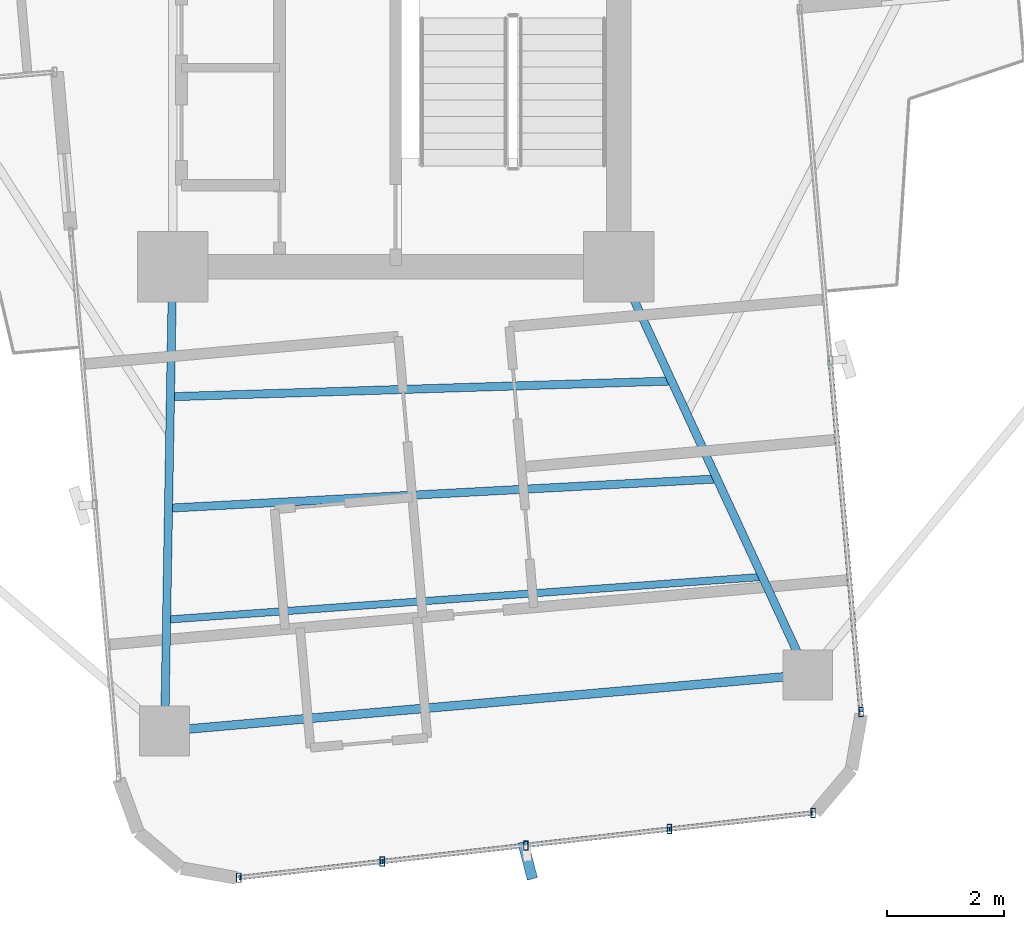
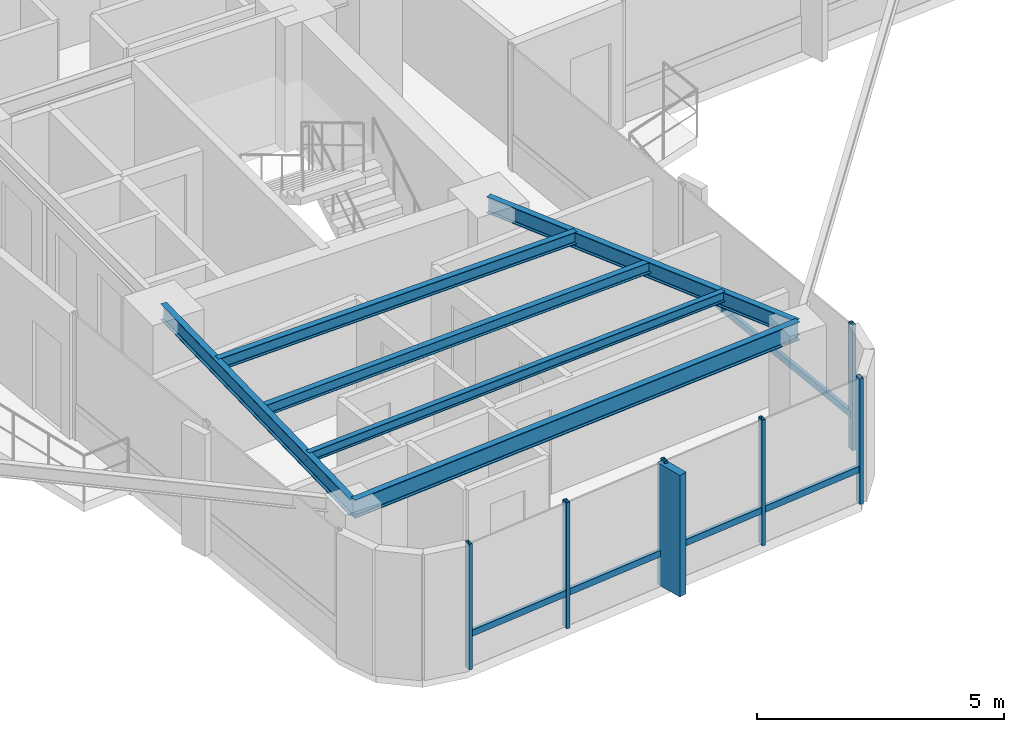
# One storey, part 6 of 24: 12 members, 6 beams, 2 elements without a shape of their own.
"""IFC4 building model written with IfcOpenShell, lengths in metres."""

from ifc_helpers import new_model, si_unit, direction, frame, origin, origin_2d, place, context, subcontext, project, spatial, rectangle, hollow_rectangle, i_section, extrude, source, transform, mapped, material, material_profile, profile_set, type_object, element, aggregate, save


model = new_model("IFC4")

# Units and contexts
model_context = context("Model", 3, precision=1e-05, world=origin(), true_north=direction((0.0, 1.0)))
body_context = subcontext(model_context, "Body", "Model", "MODEL_VIEW")
ifc_project = project(units=[si_unit("LENGTHUNIT", "METRE"), si_unit("AREAUNIT", "SQUARE_METRE"), si_unit("VOLUMEUNIT", "CUBIC_METRE"), si_unit("PLANEANGLEUNIT", "RADIAN"), si_unit("MASSUNIT", "GRAM", prefix="KILO")], contexts=[model_context])

# Site, building, storey
site_placement = place(None, origin())
site = spatial("IfcSite", under=ifc_project, at=site_placement, CompositionType="ELEMENT")
building_placement = place(site_placement, origin())
building = spatial("IfcBuilding", under=site, at=building_placement, Name="Sahyath Konkavel Grand Hotel", CompositionType="ELEMENT")
storey_placement = place(building_placement, frame((0.0, 0.0, 164.0)))
storey = spatial("IfcBuildingStorey", under=building, at=storey_placement, Name="L45", CompositionType="ELEMENT", Elevation=164.0)

# Beams
ifc_material_1 = material(Name="Steel E350", Category="steel")
ifc_material_profile_1 = material_profile(ifc_material_1, i_section(OverallWidth=0.139892578125, OverallDepth=0.39990234375, WebThickness=0.0087890625, FlangeThickness=0.01611328125, FilletRadius=0.013916015625, at=origin_2d()), Name="ISMB 400")
ifc_profile_set_1 = profile_set([ifc_material_profile_1], Name="Steel E350")
beam_type_1 = type_object("IfcBeamType", Name="BM-ISMB400", PredefinedType="BEAM", material=ifc_profile_set_1)
shared_shape_1 = source(origin(), body_context, "Body", "SweptSolid", [
    extrude(i_section(OverallWidth=0.139892578125, OverallDepth=0.39990234375, WebThickness=0.0087890625, FlangeThickness=0.01611328125, FilletRadius=0.013916015625, at=origin_2d()), origin(), (0.0, 0.0, 1.0), 7.913330078125),
])
beam_1_placement = place(storey_placement, frame((-3.800048828125, -10.199951171875, 2.909912109375), z_axis=(-0.017215419232, -0.999851803689, 0.0), x_axis=(0.999851803689, -0.017215419232, 0.0)))
element("IfcBeam", 1, at=beam_1_placement, inside=storey, type_object=beam_type_1, Name="L45 Cruciform Radial Girder SA", PredefinedType="BEAM", context=body_context, shape_type="MappedRepresentation", body=[
    mapped(shared_shape_1, transform((0.0, 0.0, 0.0), scale=1.0)),
])
shared_shape_2 = source(origin(), body_context, "Body", "SweptSolid", [
    extrude(i_section(OverallWidth=0.139892578125, OverallDepth=0.39990234375, WebThickness=0.0087890625, FlangeThickness=0.01611328125, FilletRadius=0.013916015625, at=origin_2d()), origin(), (0.0, 0.0, 1.0), 7.66357421875),
])
beam_2_placement = place(storey_placement, frame((3.800048828125, -10.199951171875, 2.909912109375), z_axis=(0.420395127561, -0.907341135804, 0.0), x_axis=(0.907341135804, 0.420395127561, 0.0)))
element("IfcBeam", 2, at=beam_2_placement, inside=storey, type_object=beam_type_1, Name="L45 Cruciform Radial Girder SB", PredefinedType="BEAM", context=body_context, shape_type="MappedRepresentation", body=[
    mapped(shared_shape_2, transform((0.0, 0.0, 0.0), scale=1.0)),
])
ifc_material_profile_2 = material_profile(ifc_material_1, i_section(OverallWidth=0.14990234375, OverallDepth=0.449951171875, WebThickness=0.009521484375, FlangeThickness=0.017333984375, FilletRadius=0.014892578125, at=origin_2d()), Name="ISMB 450")
ifc_profile_set_2 = profile_set([ifc_material_profile_2], Name="Steel E350")
beam_type_2 = type_object("IfcBeamType", Name="BM-ISMB450", PredefinedType="BEAM", material=ifc_profile_set_2)
shared_shape_3 = source(origin(), body_context, "Body", "SweptSolid", [
    extrude(i_section(OverallWidth=0.14990234375, OverallDepth=0.449951171875, WebThickness=0.009521484375, FlangeThickness=0.017333984375, FilletRadius=0.014892578125, at=origin_2d()), origin(), (0.0, 0.0, 1.0), 10.999755859375),
])
beam_3_placement = place(storey_placement, frame((-3.936279296875, -18.112060546875, 2.885009765625), z_axis=(0.99619439202, 0.087159241098, 0.0), x_axis=(-0.087159241098, 0.99619439202, 0.0)))
element("IfcBeam", 3, at=beam_3_placement, inside=storey, type_object=beam_type_2, Name="L45 Wing Tip Edge Beam S", PredefinedType="BEAM", context=body_context, shape_type="MappedRepresentation", body=[
    mapped(shared_shape_3, transform((0.0, 0.0, 0.0), scale=1.0)),
])
ifc_material_profile_3 = material_profile(ifc_material_1, i_section(OverallWidth=0.139892578125, OverallDepth=0.300048828125, WebThickness=0.0078125, FlangeThickness=0.01318359375, FilletRadius=0.013916015625, at=origin_2d()), Name="ISMB 300")
ifc_profile_set_3 = profile_set([ifc_material_profile_3], Name="Steel E350")
beam_type_3 = type_object("IfcBeamType", Name="BM-ISMB300", PredefinedType="BEAM", material=ifc_profile_set_3)
shared_shape_4 = source(origin(), body_context, "Body", "SweptSolid", [
    extrude(i_section(OverallWidth=0.139892578125, OverallDepth=0.300048828125, WebThickness=0.0078125, FlangeThickness=0.01318359375, FilletRadius=0.013916015625, at=origin_2d()), origin(), (0.0, 0.0, 1.0), 8.54443359375),
])
beam_4_placement = place(storey_placement, frame((-3.838134765625, -12.415283203125, 2.9599609375), z_axis=(0.999506849365, 0.031401561632, 0.0), x_axis=(-0.031401561632, 0.999506849365, 0.0)))
element("IfcBeam", 4, at=beam_4_placement, inside=storey, type_object=beam_type_3, Name="L45 Secondary Floor Beam S-1", PredefinedType="BEAM", context=body_context, shape_type="MappedRepresentation", body=[
    mapped(shared_shape_4, transform((0.0, 0.0, 0.0), scale=1.0)),
])
ifc_material_profile_4 = material_profile(ifc_material_1, i_section(OverallWidth=0.139892578125, OverallDepth=0.27490234375, WebThickness=0.00634765625, FlangeThickness=0.0087890625, FilletRadius=0.012939453125, at=origin_2d()), Name="ISLB 275")
ifc_profile_set_4 = profile_set([ifc_material_profile_4], Name="Steel E350")
beam_type_4 = type_object("IfcBeamType", Name="BM-ISLB275", PredefinedType="BEAM", material=ifc_profile_set_4)
shared_shape_5 = source(origin(), body_context, "Body", "SweptSolid", [
    extrude(i_section(OverallWidth=0.139892578125, OverallDepth=0.27490234375, WebThickness=0.00634765625, FlangeThickness=0.0087890625, FilletRadius=0.012939453125, at=origin_2d()), origin(), (0.0, 0.0, 1.0), 9.359375),
])
beam_5_placement = place(storey_placement, frame((-3.870849609375, -14.314208984375, 2.972412109375), z_axis=(0.998580397723, 0.053265272769, 0.0), x_axis=(-0.053265272769, 0.998580397723, 0.0)))
element("IfcBeam", 5, at=beam_5_placement, inside=storey, type_object=beam_type_4, Name="L45 Secondary Floor Beam S-2", PredefinedType="BEAM", context=body_context, shape_type="MappedRepresentation", body=[
    mapped(shared_shape_5, transform((0.0, 0.0, 0.0), scale=1.0)),
])
ifc_material_profile_5 = material_profile(ifc_material_1, i_section(OverallWidth=0.125, OverallDepth=0.25, WebThickness=0.0068359375, FlangeThickness=0.012451171875, FilletRadius=0.012939453125, at=origin_2d()), Name="ISMB 250")
ifc_profile_set_5 = profile_set([ifc_material_profile_5], Name="Steel E350")
beam_type_5 = type_object("IfcBeamType", Name="BM-ISMB250", PredefinedType="BEAM", material=ifc_profile_set_5)
shared_shape_6 = source(origin(), body_context, "Body", "SweptSolid", [
    extrude(i_section(OverallWidth=0.125, OverallDepth=0.25, WebThickness=0.0068359375, FlangeThickness=0.012451171875, FilletRadius=0.012939453125, at=origin_2d()), origin(), (0.0, 0.0, 1.0), 10.178466796875),
])
beam_6_placement = place(storey_placement, frame((-3.90380859375, -16.213134765625, 2.985107421875), z_axis=(0.997435268886, 0.071574327683, 0.0), x_axis=(-0.071574327683, 0.997435268886, 0.0)))
element("IfcBeam", 6, at=beam_6_placement, inside=storey, type_object=beam_type_5, Name="L45 Secondary Floor Beam S-3", PredefinedType="BEAM", context=body_context, shape_type="MappedRepresentation", body=[
    mapped(shared_shape_6, transform((0.0, 0.0, 0.0), scale=1.0)),
])

# Curtain wall, members
ifc_material_2 = material(Name="Anodised Bronze Aluminium & Low-E Glazing", Category="aluminium")
curtain_wall_type = type_object("IfcCurtainWallType", Name="CW-ZONE3", PredefinedType="NOTDEFINED", material=ifc_material_2)
curtain_wall_1_placement = place(storey_placement, origin())
curtain_wall_1 = element("IfcCurtainWall", 7, at=curtain_wall_1_placement, inside=storey, type_object=curtain_wall_type, Name="L45 Unitised Curtain Wall F28", PredefinedType="NOTDEFINED")
ifc_material_3 = material(Name="Warm Buff Sandstone Cladding on Concrete C50/60", Category="masonry")
ifc_material_profile_6 = material_profile(ifc_material_3, rectangle(XDim=0.179931640625, YDim=0.64990234375, at=origin_2d()), Name="FIN 180x650")
ifc_profile_set_6 = profile_set([ifc_material_profile_6], Name="Warm Buff Sandstone Cladding on Concrete C50/60")
member_type_1 = type_object("IfcMemberType", Name="FIN-SANDSTONE-650", PredefinedType="MULLION", material=ifc_profile_set_6)
shared_shape_7 = source(origin(), body_context, "Body", "SweptSolid", [
    extrude(rectangle(XDim=0.179931640625, YDim=0.64990234375, at=origin_2d()), origin(), (0.0, 0.0, 1.0), 3.010009765625),
])
member_1_placement = place(storey_placement, frame((2.248291015625, -20.3173828125, 0.050048828125), z_axis=(0.0, 0.0, 1.0), x_axis=(0.967884912253, 0.251393708421, 0.0)))
member_1 = element("IfcMember", 8, at=member_1_placement, type_object=member_type_1, Name="L45 Sandstone Vertical Solar Fin FIN F28-2", PredefinedType="MULLION", context=body_context, shape_type="MappedRepresentation", body=[
    mapped(shared_shape_7, transform((0.0, 0.0, 0.0), scale=1.0)),
])
ifc_material_4 = material(Name="Anodised Bronze Aluminium", Category="aluminium")
ifc_material_profile_7 = material_profile(ifc_material_4, hollow_rectangle(XDim=0.080078125, YDim=0.159912109375, WallThickness=0.006103515625, at=origin_2d()), Name="RHS 160x80x6")
ifc_profile_set_7 = profile_set([ifc_material_profile_7], Name="Anodised Bronze Aluminium")
member_type_2 = type_object("IfcMemberType", Name="CW-MUL-160", PredefinedType="MULLION", material=ifc_profile_set_7)
shared_shape_8 = source(origin(), body_context, "Body", "SweptSolid", [
    extrude(hollow_rectangle(XDim=0.080078125, YDim=0.159912109375, WallThickness=0.006103515625, at=origin_2d()), origin(), (0.0, 0.0, 1.0), 3.110107421875),
])
member_2_placement = place(storey_placement, frame((-2.673828125, -20.610595703125, 0.0), z_axis=(0.0, 0.0, 1.0), x_axis=(1.0, 0.0, 0.0)))
member_2 = element("IfcMember", 9, at=member_2_placement, type_object=member_type_2, Name="L45 Curtain Wall Mullion F28-0", PredefinedType="MULLION", context=body_context, shape_type="MappedRepresentation", body=[
    mapped(shared_shape_8, transform((0.0, 0.0, 0.0), scale=1.0)),
])
member_3_placement = place(storey_placement, frame((-0.227294921875, -20.334716796875, 0.0), z_axis=(0.0, 0.0, 1.0), x_axis=(1.0, 0.0, 0.0)))
member_3 = element("IfcMember", 10, at=member_3_placement, type_object=member_type_2, Name="L45 Curtain Wall Mullion F28-1", PredefinedType="MULLION", context=body_context, shape_type="MappedRepresentation", body=[
    mapped(shared_shape_8, transform((0.0, 0.0, 0.0), scale=1.0)),
])
member_4_placement = place(storey_placement, frame((2.21923828125, -20.05908203125, 0.0), z_axis=(0.0, 0.0, 1.0), x_axis=(1.0, 0.0, 0.0)))
member_4 = element("IfcMember", 11, at=member_4_placement, type_object=member_type_2, Name="L45 Curtain Wall Mullion F28-2", PredefinedType="MULLION", context=body_context, shape_type="MappedRepresentation", body=[
    mapped(shared_shape_8, transform((0.0, 0.0, 0.0), scale=1.0)),
])
member_5_placement = place(storey_placement, frame((4.665771484375, -19.783203125, 0.0), z_axis=(0.0, 0.0, 1.0), x_axis=(1.0, 0.0, 0.0)))
member_5 = element("IfcMember", 12, at=member_5_placement, type_object=member_type_2, Name="L45 Curtain Wall Mullion F28-3", PredefinedType="MULLION", context=body_context, shape_type="MappedRepresentation", body=[
    mapped(shared_shape_8, transform((0.0, 0.0, 0.0), scale=1.0)),
])
member_6_placement = place(storey_placement, frame((7.1123046875, -19.507568359375, 0.0), z_axis=(0.0, 0.0, 1.0), x_axis=(1.0, 0.0, 0.0)))
member_6 = element("IfcMember", 13, at=member_6_placement, type_object=member_type_2, Name="L45 Curtain Wall Mullion F28-4", PredefinedType="MULLION", context=body_context, shape_type="MappedRepresentation", body=[
    mapped(shared_shape_8, transform((0.0, 0.0, 0.0), scale=1.0)),
])

# Curtain wall, member
curtain_wall_2_placement = place(storey_placement, origin())
curtain_wall_2 = element("IfcCurtainWall", 14, at=curtain_wall_2_placement, inside=storey, type_object=curtain_wall_type, Name="L45 Unitised Curtain Wall F31", PredefinedType="NOTDEFINED")
member_7_placement = place(storey_placement, frame((7.930419921875, -17.78662109375, 0.0), z_axis=(0.0, 0.0, 1.0), x_axis=(1.0, 0.0, 0.0)))
member_7 = element("IfcMember", 15, at=member_7_placement, type_object=member_type_2, Name="L45 Curtain Wall Mullion F31-0", PredefinedType="MULLION", context=body_context, shape_type="MappedRepresentation", body=[
    mapped(shared_shape_8, transform((0.0, 0.0, 0.0), scale=1.0)),
])

# Member
ifc_material_profile_8 = material_profile(ifc_material_4, hollow_rectangle(XDim=0.080078125, YDim=0.159912109375, WallThickness=0.006103515625, at=origin_2d()), Name="RHS 160x80x6")
ifc_profile_set_8 = profile_set([ifc_material_profile_8], Name="Anodised Bronze Aluminium")
member_type_3 = type_object("IfcMemberType", Name="CW-TRN-160", PredefinedType="USERDEFINED", material=ifc_profile_set_8)
shared_shape_9 = source(origin(), body_context, "Body", "SweptSolid", [
    extrude(hollow_rectangle(XDim=0.080078125, YDim=0.159912109375, WallThickness=0.006103515625, at=origin_2d()), origin(), (0.0, 0.0, 1.0), 2.462158203125),
])
member_8_placement = place(storey_placement, frame((-2.673828125, -20.610595703125, 0.85009765625), z_axis=(0.99370222711, 0.112053040279, 0.0), x_axis=(-0.112053040279, 0.99370222711, 0.0)))
member_8 = element("IfcMember", 16, at=member_8_placement, type_object=member_type_3, Name="L45 Curtain Wall Transom F28-0-spandrel", ObjectType="TRANSOM", PredefinedType="USERDEFINED", context=body_context, shape_type="MappedRepresentation", body=[
    mapped(shared_shape_9, transform((0.0, 0.0, 0.0), scale=1.0)),
])

member_9_placement = place(storey_placement, frame((2.21923828125, -20.05908203125, 0.85009765625), z_axis=(0.99370222711, 0.112053040279, 0.0), x_axis=(-0.112053040279, 0.99370222711, 0.0)))
member_9 = element("IfcMember", 17, at=member_9_placement, type_object=member_type_3, Name="L45 Curtain Wall Transom F28-2-spandrel", ObjectType="TRANSOM", PredefinedType="USERDEFINED", context=body_context, shape_type="MappedRepresentation", body=[
    mapped(shared_shape_9, transform((0.0, 0.0, 0.0), scale=1.0)),
])

shared_shape_10 = source(origin(), body_context, "Body", "SweptSolid", [
    extrude(hollow_rectangle(XDim=0.080078125, YDim=0.159912109375, WallThickness=0.006103515625, at=origin_2d()), origin(), (0.0, 0.0, 1.0), 2.4619140625),
])
member_10_placement = place(storey_placement, frame((-0.227294921875, -20.334716796875, 0.85009765625), z_axis=(0.993713263833, 0.111955121731, 0.0), x_axis=(-0.111955121731, 0.993713263833, 0.0)))
member_10 = element("IfcMember", 18, at=member_10_placement, type_object=member_type_3, Name="L45 Curtain Wall Transom F28-1-spandrel", ObjectType="TRANSOM", PredefinedType="USERDEFINED", context=body_context, shape_type="MappedRepresentation", body=[
    mapped(shared_shape_10, transform((0.0, 0.0, 0.0), scale=1.0)),
])

member_11_placement = place(storey_placement, frame((4.665771484375, -19.783203125, 0.85009765625), z_axis=(0.993713263833, 0.111955121731, 0.0), x_axis=(-0.111955121731, 0.993713263833, 0.0)))
member_11 = element("IfcMember", 19, at=member_11_placement, type_object=member_type_3, Name="L45 Curtain Wall Transom F28-3-spandrel", ObjectType="TRANSOM", PredefinedType="USERDEFINED", context=body_context, shape_type="MappedRepresentation", body=[
    mapped(shared_shape_10, transform((0.0, 0.0, 0.0), scale=1.0)),
])

aggregate(curtain_wall_1, [member_2, member_3, member_4, member_1, member_5, member_6, member_8, member_10, member_9, member_11])

shared_shape_11 = source(origin(), body_context, "Body", "SweptSolid", [
    extrude(hollow_rectangle(XDim=0.080078125, YDim=0.159912109375, WallThickness=0.006103515625, at=origin_2d()), origin(), (0.0, 0.0, 1.0), 6.01025390625),
])
member_12_placement = place(storey_placement, frame((7.930419921875, -17.78662109375, 0.85009765625), z_axis=(-0.087172997156, 0.996193188376, 0.0), x_axis=(-0.996193188376, -0.087172997156, 0.0)))
member_12 = element("IfcMember", 20, at=member_12_placement, type_object=member_type_3, Name="L45 Curtain Wall Transom F31-0-spandrel", ObjectType="TRANSOM", PredefinedType="USERDEFINED", context=body_context, shape_type="MappedRepresentation", body=[
    mapped(shared_shape_11, transform((0.0, 0.0, 0.0), scale=1.0)),
])

aggregate(curtain_wall_2, [member_7, member_12])

save(model, "model.ifc")
